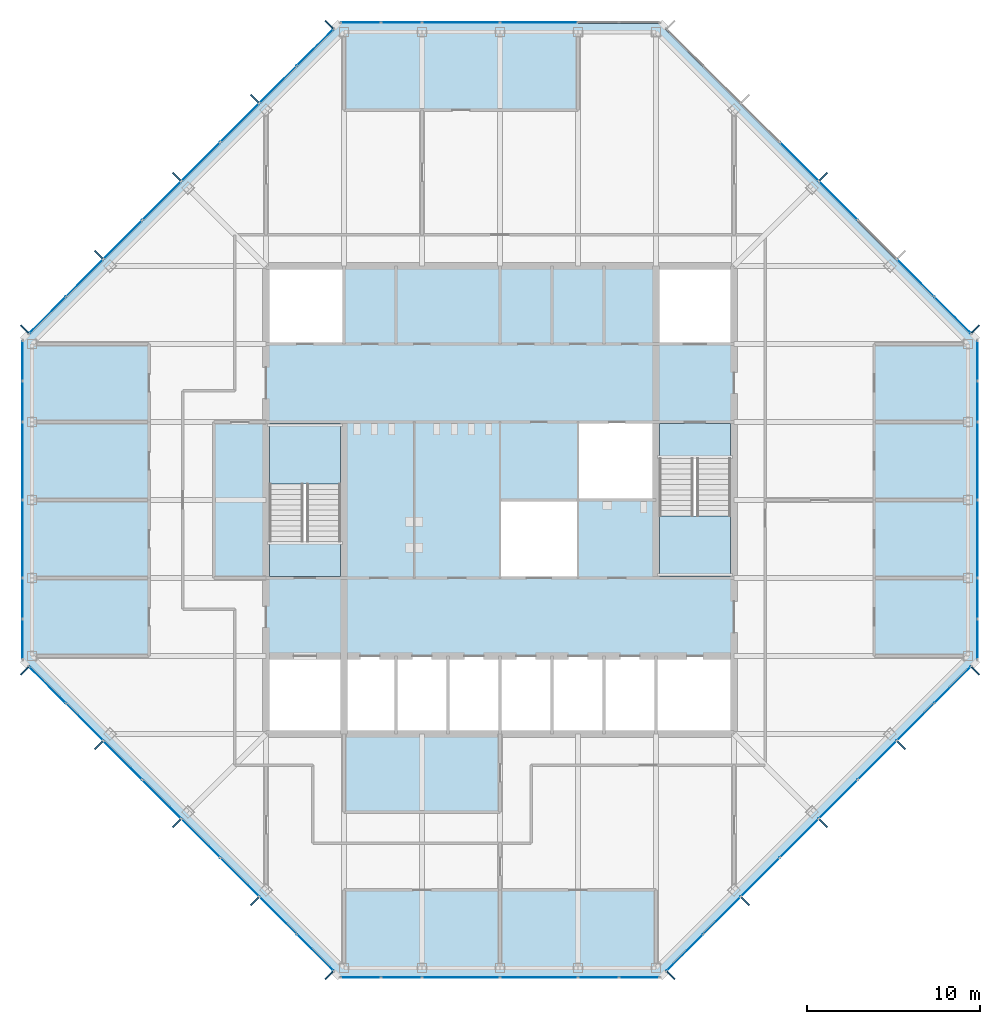
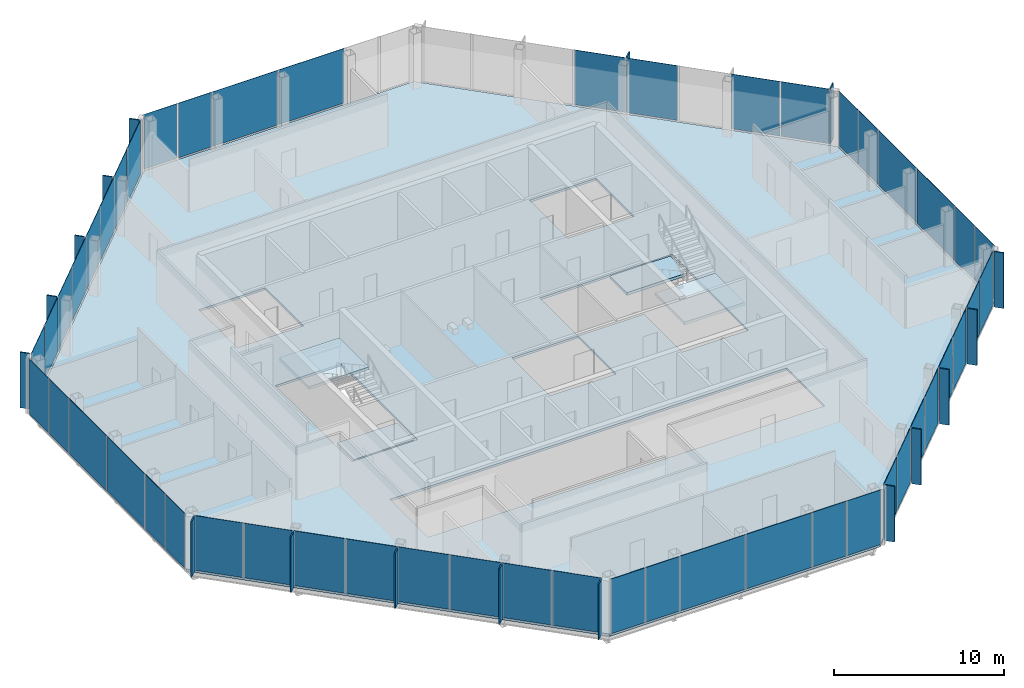
# One storey, part 8 of 14: 67 plates, 5 slabs, 10 elements without a shape of their own.
"""IFC4 building model written with IfcOpenShell, lengths in metres."""

from ifc_helpers import new_model, si_unit, direction, frame, origin, origin_2d, place, context, subcontext, project, spatial, polyline, rectangle, outline, extrude, material, layer, layer_set, type_object, element, aggregate, save


model = new_model("IFC4")

# Units and contexts
model_context = context("Model", 3, precision=1e-05, world=origin(), true_north=direction((0.0, 1.0)))
body_context = subcontext(model_context, "Body", "Model", "MODEL_VIEW")
ifc_project = project(units=[si_unit("LENGTHUNIT", "METRE"), si_unit("AREAUNIT", "SQUARE_METRE"), si_unit("VOLUMEUNIT", "CUBIC_METRE"), si_unit("PLANEANGLEUNIT", "RADIAN"), si_unit("MASSUNIT", "GRAM", prefix="KILO")], contexts=[model_context])

# Site, building, storey
site_placement = place(None, origin())
site = spatial("IfcSite", under=ifc_project, at=site_placement, CompositionType="ELEMENT")
building_placement = place(site_placement, origin())
building = spatial("IfcBuilding", under=site, at=building_placement, Name="Corais Broadcast Tower", CompositionType="ELEMENT")
storey_placement = place(building_placement, frame((0.0, 0.0, 298.60009765625)))
storey = spatial("IfcBuildingStorey", under=building, at=storey_placement, Name="L70", CompositionType="ELEMENT", Elevation=298.60009765625)

# Slab
ifc_material_1 = material(Name="Concrete C30/37", Category="concrete")
ifc_layer_1 = layer(ifc_material_1, 0.159912109375)
ifc_layer_set_1 = layer_set([ifc_layer_1], Name="Concrete C30/37")
slab_type_1 = type_object("IfcSlabType", Name="Composite floor slab 160", PredefinedType="FLOOR", material=ifc_layer_set_1)
slab_1_placement = place(storey_placement, frame((0.0, 0.0, -0.16015625)))
element("IfcSlab", 1, at=slab_1_placement, inside=storey, type_object=slab_type_1, Name="S160 floor slab L70", PredefinedType="FLOOR", context=body_context, shape_type="SweptSolid", body=[
    extrude(outline(polyline([(17.80126953125, -0.47998046875), (-0.47998046875, 17.80126953125), (-0.47998046875, 36.19873046875), (17.80126953125, 54.47998046875), (36.19873046875, 54.47998046875), (54.47998046875, 36.19873046875), (54.47998046875, 17.80126953125), (36.19873046875, -0.47998046875), (17.80126953125, -0.47998046875)]), holes=[polyline([(13.5, 18.0), (40.5, 18.0), (40.5, 13.5), (13.5, 13.5), (13.5, 18.0)]), polyline([(18.0, 22.5), (13.5, 22.5), (13.5, 31.5), (18.0, 31.5), (18.0, 22.5)]), polyline([(18.0, 36.0), (13.5, 36.0), (13.5, 40.5), (18.0, 40.5), (18.0, 36.0)]), polyline([(31.5, 22.5), (27.0, 22.5), (27.0, 27.0), (31.4951171875, 27.0), (31.4951171875, 27.0048828125), (31.5, 27.0048828125), (31.5, 31.5), (40.5, 31.5), (40.5, 22.5), (36.0, 22.5), (36.0, 27.0), (31.5048828125, 27.0), (31.5048828125, 26.9951171875), (31.5, 26.9951171875), (31.5, 22.5)]), polyline([(40.5, 36.0), (36.0, 36.0), (36.0, 40.5), (40.5, 40.5), (40.5, 36.0)])]), origin(), (0.0, 0.0, 1.0), 0.16015625),
])

# Curtain wall, plates
ifc_material_2 = material(Name="Aluminium and glass", Category="aluminium")
curtain_wall_type = type_object("IfcCurtainWallType", Name="Unitised fritted curtain wall CW3", PredefinedType="NOTDEFINED", material=ifc_material_2)
curtain_wall_1_placement = place(storey_placement, origin())
curtain_wall_1 = element("IfcCurtainWall", 2, at=curtain_wall_1_placement, inside=storey, type_object=curtain_wall_type, Name="CW3 curtain wall L70 1", PredefinedType="NOTDEFINED")
ifc_material_3 = material(Name="Ceramic-fritted laminated glass", Category="glass")
ifc_layer_2 = layer(ifc_material_3, 0.02587890625)
ifc_layer_set_2 = layer_set([ifc_layer_2], Name="Ceramic-fritted laminated glass")
plate_type_1 = type_object("IfcPlateType", Name="Fritted glass panel CW3", PredefinedType="CURTAIN_PANEL", material=ifc_layer_set_2)
plate_1_placement = place(storey_placement, frame((16.330322265625, 0.891845703125, 0.06494140625), z_axis=(0.0, 0.0, 1.0), x_axis=(-0.707106781187, 0.707106781187, 0.0)))
plate_1 = element("IfcPlate", 3, at=plate_1_placement, type_object=plate_type_1, Name="CW3 panel 1", PredefinedType="CURTAIN_PANEL", context=body_context, shape_type="SweptSolid", body=[
    extrude(rectangle(XDim=2.9482421875, YDim=0.02587890625, at=origin_2d()), origin(), (0.0, 0.0, 1.0), 3.93505859375),
])
plate_2_placement = place(storey_placement, frame((11.986083984375, 5.236083984375, 0.06494140625), z_axis=(0.0, 0.0, 1.0), x_axis=(-0.707106781187, 0.707106781187, 0.0)))
plate_2 = element("IfcPlate", 4, at=plate_2_placement, type_object=plate_type_1, Name="CW3 panel 3", PredefinedType="CURTAIN_PANEL", context=body_context, shape_type="SweptSolid", body=[
    extrude(rectangle(XDim=3.116943359375, YDim=0.02587890625, at=origin_2d()), origin(), (0.0, 0.0, 1.0), 3.93505859375),
])
plate_3_placement = place(storey_placement, frame((7.486083984375, 9.736083984375, 0.06494140625), z_axis=(0.0, 0.0, 1.0), x_axis=(-0.707106781187, 0.707106781187, 0.0)))
plate_3 = element("IfcPlate", 5, at=plate_3_placement, type_object=plate_type_1, Name="CW3 panel 5", PredefinedType="CURTAIN_PANEL", context=body_context, shape_type="SweptSolid", body=[
    extrude(rectangle(XDim=3.116943359375, YDim=0.02587890625, at=origin_2d()), origin(), (0.0, 0.0, 1.0), 3.93505859375),
])
plate_4_placement = place(storey_placement, frame((3.0341796875, 14.18798828125, 0.06494140625), z_axis=(0.0, 0.0, 1.0), x_axis=(-0.707106781187, 0.707106781187, 0.0)))
plate_4 = element("IfcPlate", 6, at=plate_4_placement, type_object=plate_type_1, Name="CW3 panel 7", PredefinedType="CURTAIN_PANEL", context=body_context, shape_type="SweptSolid", body=[
    extrude(rectangle(XDim=2.98095703125, YDim=0.02587890625, at=origin_2d()), origin(), (0.0, 0.0, 1.0), 3.93505859375),
])

curtain_wall_2_placement = place(storey_placement, origin())
curtain_wall_2 = element("IfcCurtainWall", 7, at=curtain_wall_2_placement, inside=storey, type_object=curtain_wall_type, Name="CW3 curtain wall L70 2", PredefinedType="NOTDEFINED")
plate_5_placement = place(storey_placement, frame((-0.550048828125, 18.970458984375, 0.06494140625), z_axis=(0.0, 0.0, 1.0), x_axis=(0.0, 1.0, 0.0)))
plate_5 = element("IfcPlate", 8, at=plate_5_placement, type_object=plate_type_1, Name="CW3 panel 1", PredefinedType="CURTAIN_PANEL", context=body_context, shape_type="SweptSolid", body=[
    extrude(rectangle(XDim=2.266357421875, YDim=0.02587890625, at=origin_2d()), origin(), (0.0, 0.0, 1.0), 3.93505859375),
])
plate_6_placement = place(storey_placement, frame((-0.550048828125, 24.75, 0.06494140625), z_axis=(0.0, 0.0, 1.0), x_axis=(0.0, 1.0, 0.0)))
plate_6 = element("IfcPlate", 9, at=plate_6_placement, type_object=plate_type_1, Name="CW3 panel 3", PredefinedType="CURTAIN_PANEL", context=body_context, shape_type="SweptSolid", body=[
    extrude(rectangle(XDim=4.43505859375, YDim=0.02587890625, at=origin_2d()), origin(), (0.0, 0.0, 1.0), 3.93505859375),
])
plate_7_placement = place(storey_placement, frame((-0.550048828125, 32.681884765625, 0.06494140625), z_axis=(0.0, 0.0, 1.0), x_axis=(0.0, 1.0, 0.0)))
plate_7 = element("IfcPlate", 10, at=plate_7_placement, type_object=plate_type_1, Name="CW3 panel 5", PredefinedType="CURTAIN_PANEL", context=body_context, shape_type="SweptSolid", body=[
    extrude(rectangle(XDim=2.298828125, YDim=0.02587890625, at=origin_2d()), origin(), (0.0, 0.0, 1.0), 3.93505859375),
])

curtain_wall_3_placement = place(storey_placement, origin())
curtain_wall_3 = element("IfcCurtainWall", 11, at=curtain_wall_3_placement, inside=storey, type_object=curtain_wall_type, Name="CW3 curtain wall L70 3", PredefinedType="NOTDEFINED")
plate_8_placement = place(storey_placement, frame((0.891845703125, 37.669677734375, 0.06494140625), z_axis=(0.0, 0.0, 1.0), x_axis=(0.707106781187, 0.707106781187, 0.0)))
plate_8 = element("IfcPlate", 12, at=plate_8_placement, type_object=plate_type_1, Name="CW3 panel 1", PredefinedType="CURTAIN_PANEL", context=body_context, shape_type="SweptSolid", body=[
    extrude(rectangle(XDim=2.9482421875, YDim=0.02587890625, at=origin_2d()), origin(), (0.0, 0.0, 1.0), 3.93505859375),
])
plate_9_placement = place(storey_placement, frame((5.236083984375, 42.013916015625, 0.06494140625), z_axis=(0.0, 0.0, 1.0), x_axis=(0.707106781187, 0.707106781187, 0.0)))
plate_9 = element("IfcPlate", 13, at=plate_9_placement, type_object=plate_type_1, Name="CW3 panel 3", PredefinedType="CURTAIN_PANEL", context=body_context, shape_type="SweptSolid", body=[
    extrude(rectangle(XDim=3.116943359375, YDim=0.02587890625, at=origin_2d()), origin(), (0.0, 0.0, 1.0), 3.93505859375),
])
plate_10_placement = place(storey_placement, frame((9.736083984375, 46.513916015625, 0.06494140625), z_axis=(0.0, 0.0, 1.0), x_axis=(0.707106781187, 0.707106781187, 0.0)))
plate_10 = element("IfcPlate", 14, at=plate_10_placement, type_object=plate_type_1, Name="CW3 panel 5", PredefinedType="CURTAIN_PANEL", context=body_context, shape_type="SweptSolid", body=[
    extrude(rectangle(XDim=3.116943359375, YDim=0.02587890625, at=origin_2d()), origin(), (0.0, 0.0, 1.0), 3.93505859375),
])
plate_11_placement = place(storey_placement, frame((14.18798828125, 50.9658203125, 0.06494140625), z_axis=(0.0, 0.0, 1.0), x_axis=(0.707106781187, 0.707106781187, 0.0)))
plate_11 = element("IfcPlate", 15, at=plate_11_placement, type_object=plate_type_1, Name="CW3 panel 7", PredefinedType="CURTAIN_PANEL", context=body_context, shape_type="SweptSolid", body=[
    extrude(rectangle(XDim=2.98095703125, YDim=0.02587890625, at=origin_2d()), origin(), (0.0, 0.0, 1.0), 3.93505859375),
])

curtain_wall_4_placement = place(storey_placement, origin())
curtain_wall_4 = element("IfcCurtainWall", 16, at=curtain_wall_4_placement, inside=storey, type_object=curtain_wall_type, Name="CW3 curtain wall L70 4", PredefinedType="NOTDEFINED")
plate_12_placement = place(storey_placement, frame((18.970458984375, 54.550048828125, 0.06494140625), z_axis=(0.0, 0.0, 1.0), x_axis=(1.0, 0.0, 0.0)))
plate_12 = element("IfcPlate", 17, at=plate_12_placement, type_object=plate_type_1, Name="CW3 panel 1", PredefinedType="CURTAIN_PANEL", context=body_context, shape_type="SweptSolid", body=[
    extrude(rectangle(XDim=2.266357421875, YDim=0.02587890625, at=origin_2d()), origin(), (0.0, 0.0, 1.0), 3.93505859375),
])
plate_13_placement = place(storey_placement, frame((24.75, 54.550048828125, 0.06494140625), z_axis=(0.0, 0.0, 1.0), x_axis=(1.0, 0.0, 0.0)))
plate_13 = element("IfcPlate", 18, at=plate_13_placement, type_object=plate_type_1, Name="CW3 panel 3", PredefinedType="CURTAIN_PANEL", context=body_context, shape_type="SweptSolid", body=[
    extrude(rectangle(XDim=4.43505859375, YDim=0.02587890625, at=origin_2d()), origin(), (0.0, 0.0, 1.0), 3.93505859375),
])

curtain_wall_5_placement = place(storey_placement, origin())
curtain_wall_5 = element("IfcCurtainWall", 19, at=curtain_wall_5_placement, inside=storey, type_object=curtain_wall_type, Name="CW3 curtain wall L70 5", PredefinedType="NOTDEFINED")
plate_14_placement = place(storey_placement, frame((46.513916015625, 44.263916015625, 0.06494140625), z_axis=(0.0, 0.0, 1.0), x_axis=(0.707106781187, -0.707106781187, 0.0)))
plate_14 = element("IfcPlate", 20, at=plate_14_placement, type_object=plate_type_1, Name="CW3 panel 5", PredefinedType="CURTAIN_PANEL", context=body_context, shape_type="SweptSolid", body=[
    extrude(rectangle(XDim=3.116943359375, YDim=0.02587890625, at=origin_2d()), origin(), (0.0, 0.0, 1.0), 3.93505859375),
])
plate_15_placement = place(storey_placement, frame((50.9658203125, 39.81201171875, 0.06494140625), z_axis=(0.0, 0.0, 1.0), x_axis=(0.707106781187, -0.707106781187, 0.0)))
plate_15 = element("IfcPlate", 21, at=plate_15_placement, type_object=plate_type_1, Name="CW3 panel 7", PredefinedType="CURTAIN_PANEL", context=body_context, shape_type="SweptSolid", body=[
    extrude(rectangle(XDim=2.98095703125, YDim=0.02587890625, at=origin_2d()), origin(), (0.0, 0.0, 1.0), 3.93505859375),
])

curtain_wall_6_placement = place(storey_placement, origin())
curtain_wall_6 = element("IfcCurtainWall", 22, at=curtain_wall_6_placement, inside=storey, type_object=curtain_wall_type, Name="CW3 curtain wall L70 6", PredefinedType="NOTDEFINED")
plate_16_placement = place(storey_placement, frame((54.550048828125, 35.029541015625, 0.06494140625), z_axis=(0.0, 0.0, 1.0), x_axis=(0.0, -1.0, 0.0)))
plate_16 = element("IfcPlate", 23, at=plate_16_placement, type_object=plate_type_1, Name="CW3 panel 1", PredefinedType="CURTAIN_PANEL", context=body_context, shape_type="SweptSolid", body=[
    extrude(rectangle(XDim=2.266357421875, YDim=0.02587890625, at=origin_2d()), origin(), (0.0, 0.0, 1.0), 3.93505859375),
])
plate_17_placement = place(storey_placement, frame((54.550048828125, 29.25, 0.06494140625), z_axis=(0.0, 0.0, 1.0), x_axis=(0.0, -1.0, 0.0)))
plate_17 = element("IfcPlate", 24, at=plate_17_placement, type_object=plate_type_1, Name="CW3 panel 3", PredefinedType="CURTAIN_PANEL", context=body_context, shape_type="SweptSolid", body=[
    extrude(rectangle(XDim=4.43505859375, YDim=0.02587890625, at=origin_2d()), origin(), (0.0, 0.0, 1.0), 3.93505859375),
])
plate_18_placement = place(storey_placement, frame((54.550048828125, 21.318115234375, 0.06494140625), z_axis=(0.0, 0.0, 1.0), x_axis=(0.0, -1.0, 0.0)))
plate_18 = element("IfcPlate", 25, at=plate_18_placement, type_object=plate_type_1, Name="CW3 panel 5", PredefinedType="CURTAIN_PANEL", context=body_context, shape_type="SweptSolid", body=[
    extrude(rectangle(XDim=2.298828125, YDim=0.02587890625, at=origin_2d()), origin(), (0.0, 0.0, 1.0), 3.93505859375),
])

curtain_wall_7_placement = place(storey_placement, origin())
curtain_wall_7 = element("IfcCurtainWall", 26, at=curtain_wall_7_placement, inside=storey, type_object=curtain_wall_type, Name="CW3 curtain wall L70 7", PredefinedType="NOTDEFINED")
plate_19_placement = place(storey_placement, frame((53.108154296875, 16.330322265625, 0.06494140625), z_axis=(0.0, 0.0, 1.0), x_axis=(-0.707106781187, -0.707106781187, 0.0)))
plate_19 = element("IfcPlate", 27, at=plate_19_placement, type_object=plate_type_1, Name="CW3 panel 1", PredefinedType="CURTAIN_PANEL", context=body_context, shape_type="SweptSolid", body=[
    extrude(rectangle(XDim=2.9482421875, YDim=0.02587890625, at=origin_2d()), origin(), (0.0, 0.0, 1.0), 3.93505859375),
])
plate_20_placement = place(storey_placement, frame((48.763916015625, 11.986083984375, 0.06494140625), z_axis=(0.0, 0.0, 1.0), x_axis=(-0.707106781187, -0.707106781187, 0.0)))
plate_20 = element("IfcPlate", 28, at=plate_20_placement, type_object=plate_type_1, Name="CW3 panel 3", PredefinedType="CURTAIN_PANEL", context=body_context, shape_type="SweptSolid", body=[
    extrude(rectangle(XDim=3.116943359375, YDim=0.02587890625, at=origin_2d()), origin(), (0.0, 0.0, 1.0), 3.93505859375),
])
plate_21_placement = place(storey_placement, frame((44.263916015625, 7.486083984375, 0.06494140625), z_axis=(0.0, 0.0, 1.0), x_axis=(-0.707106781187, -0.707106781187, 0.0)))
plate_21 = element("IfcPlate", 29, at=plate_21_placement, type_object=plate_type_1, Name="CW3 panel 5", PredefinedType="CURTAIN_PANEL", context=body_context, shape_type="SweptSolid", body=[
    extrude(rectangle(XDim=3.116943359375, YDim=0.02587890625, at=origin_2d()), origin(), (0.0, 0.0, 1.0), 3.93505859375),
])
plate_22_placement = place(storey_placement, frame((39.81201171875, 3.0341796875, 0.06494140625), z_axis=(0.0, 0.0, 1.0), x_axis=(-0.707106781187, -0.707106781187, 0.0)))
plate_22 = element("IfcPlate", 30, at=plate_22_placement, type_object=plate_type_1, Name="CW3 panel 7", PredefinedType="CURTAIN_PANEL", context=body_context, shape_type="SweptSolid", body=[
    extrude(rectangle(XDim=2.98095703125, YDim=0.02587890625, at=origin_2d()), origin(), (0.0, 0.0, 1.0), 3.93505859375),
])

curtain_wall_8_placement = place(storey_placement, origin())
curtain_wall_8 = element("IfcCurtainWall", 31, at=curtain_wall_8_placement, inside=storey, type_object=curtain_wall_type, Name="CW3 curtain wall L70 8", PredefinedType="NOTDEFINED")
plate_23_placement = place(storey_placement, frame((35.029541015625, -0.550048828125, 0.06494140625), z_axis=(0.0, 0.0, 1.0), x_axis=(-1.0, 0.0, 0.0)))
plate_23 = element("IfcPlate", 32, at=plate_23_placement, type_object=plate_type_1, Name="CW3 panel 1", PredefinedType="CURTAIN_PANEL", context=body_context, shape_type="SweptSolid", body=[
    extrude(rectangle(XDim=2.266357421875, YDim=0.02587890625, at=origin_2d()), origin(), (0.0, 0.0, 1.0), 3.93505859375),
])
plate_24_placement = place(storey_placement, frame((29.25, -0.550048828125, 0.06494140625), z_axis=(0.0, 0.0, 1.0), x_axis=(-1.0, 0.0, 0.0)))
plate_24 = element("IfcPlate", 33, at=plate_24_placement, type_object=plate_type_1, Name="CW3 panel 3", PredefinedType="CURTAIN_PANEL", context=body_context, shape_type="SweptSolid", body=[
    extrude(rectangle(XDim=4.43505859375, YDim=0.02587890625, at=origin_2d()), origin(), (0.0, 0.0, 1.0), 3.93505859375),
])
plate_25_placement = place(storey_placement, frame((21.318115234375, -0.550048828125, 0.06494140625), z_axis=(0.0, 0.0, 1.0), x_axis=(-1.0, 0.0, 0.0)))
plate_25 = element("IfcPlate", 34, at=plate_25_placement, type_object=plate_type_1, Name="CW3 panel 5", PredefinedType="CURTAIN_PANEL", context=body_context, shape_type="SweptSolid", body=[
    extrude(rectangle(XDim=2.298828125, YDim=0.02587890625, at=origin_2d()), origin(), (0.0, 0.0, 1.0), 3.93505859375),
])

# Plate
ifc_material_4 = material(Name="Clear laminated glass", Category="glass")
ifc_layer_3 = layer(ifc_material_4, 0.030029296875)
ifc_layer_set_3 = layer_set([ifc_layer_3], Name="Clear laminated glass")
plate_type_2 = type_object("IfcPlateType", Name="Operable glass panel CW3", PredefinedType="CURTAIN_PANEL", material=ifc_layer_set_3)
plate_26_placement = place(storey_placement, frame((14.18798828125, 3.0341796875, 0.06494140625), z_axis=(0.0, 0.0, 1.0), x_axis=(-0.707106781187, 0.707106781187, 0.0)))
plate_26 = element("IfcPlate", 35, at=plate_26_placement, type_object=plate_type_2, Name="CW3 operable panel 2", PredefinedType="CURTAIN_PANEL", context=body_context, shape_type="SweptSolid", body=[
    extrude(rectangle(XDim=2.98095703125, YDim=0.030029296875, at=origin_2d()), origin(), (0.0, 0.0, 1.0), 3.93505859375),
])

plate_27_placement = place(storey_placement, frame((9.736083984375, 7.486083984375, 0.06494140625), z_axis=(0.0, 0.0, 1.0), x_axis=(-0.707106781187, 0.707106781187, 0.0)))
plate_27 = element("IfcPlate", 36, at=plate_27_placement, type_object=plate_type_2, Name="CW3 operable panel 4", PredefinedType="CURTAIN_PANEL", context=body_context, shape_type="SweptSolid", body=[
    extrude(rectangle(XDim=3.116943359375, YDim=0.030029296875, at=origin_2d()), origin(), (0.0, 0.0, 1.0), 3.93505859375),
])

plate_28_placement = place(storey_placement, frame((5.236083984375, 11.986083984375, 0.06494140625), z_axis=(0.0, 0.0, 1.0), x_axis=(-0.707106781187, 0.707106781187, 0.0)))
plate_28 = element("IfcPlate", 37, at=plate_28_placement, type_object=plate_type_2, Name="CW3 operable panel 6", PredefinedType="CURTAIN_PANEL", context=body_context, shape_type="SweptSolid", body=[
    extrude(rectangle(XDim=3.116943359375, YDim=0.030029296875, at=origin_2d()), origin(), (0.0, 0.0, 1.0), 3.93505859375),
])

plate_29_placement = place(storey_placement, frame((0.89208984375, 16.330322265625, 0.06494140625), z_axis=(0.0, 0.0, 1.0), x_axis=(-0.707106781187, 0.707106781187, 0.0)))
plate_29 = element("IfcPlate", 38, at=plate_29_placement, type_object=plate_type_2, Name="CW3 operable panel 8", PredefinedType="CURTAIN_PANEL", context=body_context, shape_type="SweptSolid", body=[
    extrude(rectangle(XDim=2.948486328125, YDim=0.030029296875, at=origin_2d()), origin(), (0.0, 0.0, 1.0), 3.93505859375),
])

aggregate(curtain_wall_1, [plate_1, plate_26, plate_2, plate_27, plate_3, plate_28, plate_4, plate_29])

plate_30_placement = place(storey_placement, frame((-0.550048828125, 21.318115234375, 0.06494140625), z_axis=(0.0, 0.0, 1.0), x_axis=(0.0, 1.0, 0.0)))
plate_30 = element("IfcPlate", 39, at=plate_30_placement, type_object=plate_type_2, Name="CW3 operable panel 2", PredefinedType="CURTAIN_PANEL", context=body_context, shape_type="SweptSolid", body=[
    extrude(rectangle(XDim=2.298828125, YDim=0.030029296875, at=origin_2d()), origin(), (0.0, 0.0, 1.0), 3.93505859375),
])

plate_31_placement = place(storey_placement, frame((-0.550048828125, 29.25, 0.06494140625), z_axis=(0.0, 0.0, 1.0), x_axis=(0.0, 1.0, 0.0)))
plate_31 = element("IfcPlate", 40, at=plate_31_placement, type_object=plate_type_2, Name="CW3 operable panel 4", PredefinedType="CURTAIN_PANEL", context=body_context, shape_type="SweptSolid", body=[
    extrude(rectangle(XDim=4.43505859375, YDim=0.030029296875, at=origin_2d()), origin(), (0.0, 0.0, 1.0), 3.93505859375),
])

plate_32_placement = place(storey_placement, frame((-0.550048828125, 35.029541015625, 0.06494140625), z_axis=(0.0, 0.0, 1.0), x_axis=(0.0, 1.0, 0.0)))
plate_32 = element("IfcPlate", 41, at=plate_32_placement, type_object=plate_type_2, Name="CW3 operable panel 6", PredefinedType="CURTAIN_PANEL", context=body_context, shape_type="SweptSolid", body=[
    extrude(rectangle(XDim=2.266357421875, YDim=0.030029296875, at=origin_2d()), origin(), (0.0, 0.0, 1.0), 3.93505859375),
])

aggregate(curtain_wall_2, [plate_5, plate_30, plate_6, plate_31, plate_7, plate_32])

plate_33_placement = place(storey_placement, frame((3.0341796875, 39.81201171875, 0.06494140625), z_axis=(0.0, 0.0, 1.0), x_axis=(0.707106781187, 0.707106781187, 0.0)))
plate_33 = element("IfcPlate", 42, at=plate_33_placement, type_object=plate_type_2, Name="CW3 operable panel 2", PredefinedType="CURTAIN_PANEL", context=body_context, shape_type="SweptSolid", body=[
    extrude(rectangle(XDim=2.98095703125, YDim=0.030029296875, at=origin_2d()), origin(), (0.0, 0.0, 1.0), 3.93505859375),
])

plate_34_placement = place(storey_placement, frame((7.486083984375, 44.263916015625, 0.06494140625), z_axis=(0.0, 0.0, 1.0), x_axis=(0.707106781187, 0.707106781187, 0.0)))
plate_34 = element("IfcPlate", 43, at=plate_34_placement, type_object=plate_type_2, Name="CW3 operable panel 4", PredefinedType="CURTAIN_PANEL", context=body_context, shape_type="SweptSolid", body=[
    extrude(rectangle(XDim=3.116943359375, YDim=0.030029296875, at=origin_2d()), origin(), (0.0, 0.0, 1.0), 3.93505859375),
])

plate_35_placement = place(storey_placement, frame((11.986083984375, 48.763916015625, 0.06494140625), z_axis=(0.0, 0.0, 1.0), x_axis=(0.707106781187, 0.707106781187, 0.0)))
plate_35 = element("IfcPlate", 44, at=plate_35_placement, type_object=plate_type_2, Name="CW3 operable panel 6", PredefinedType="CURTAIN_PANEL", context=body_context, shape_type="SweptSolid", body=[
    extrude(rectangle(XDim=3.116943359375, YDim=0.030029296875, at=origin_2d()), origin(), (0.0, 0.0, 1.0), 3.93505859375),
])

plate_36_placement = place(storey_placement, frame((16.330322265625, 53.10791015625, 0.06494140625), z_axis=(0.0, 0.0, 1.0), x_axis=(0.707106781187, 0.707106781187, 0.0)))
plate_36 = element("IfcPlate", 45, at=plate_36_placement, type_object=plate_type_2, Name="CW3 operable panel 8", PredefinedType="CURTAIN_PANEL", context=body_context, shape_type="SweptSolid", body=[
    extrude(rectangle(XDim=2.948486328125, YDim=0.030029296875, at=origin_2d()), origin(), (0.0, 0.0, 1.0), 3.93505859375),
])

aggregate(curtain_wall_3, [plate_8, plate_33, plate_9, plate_34, plate_10, plate_35, plate_11, plate_36])

plate_37_placement = place(storey_placement, frame((21.318115234375, 54.550048828125, 0.06494140625), z_axis=(0.0, 0.0, 1.0), x_axis=(1.0, 0.0, 0.0)))
plate_37 = element("IfcPlate", 46, at=plate_37_placement, type_object=plate_type_2, Name="CW3 operable panel 2", PredefinedType="CURTAIN_PANEL", context=body_context, shape_type="SweptSolid", body=[
    extrude(rectangle(XDim=2.298828125, YDim=0.030029296875, at=origin_2d()), origin(), (0.0, 0.0, 1.0), 3.93505859375),
])

plate_38_placement = place(storey_placement, frame((29.25, 54.550048828125, 0.06494140625), z_axis=(0.0, 0.0, 1.0), x_axis=(1.0, 0.0, 0.0)))
plate_38 = element("IfcPlate", 47, at=plate_38_placement, type_object=plate_type_2, Name="CW3 operable panel 4", PredefinedType="CURTAIN_PANEL", context=body_context, shape_type="SweptSolid", body=[
    extrude(rectangle(XDim=4.43505859375, YDim=0.030029296875, at=origin_2d()), origin(), (0.0, 0.0, 1.0), 3.93505859375),
])

aggregate(curtain_wall_4, [plate_12, plate_37, plate_13, plate_38])

plate_39_placement = place(storey_placement, frame((44.263916015625, 46.513916015625, 0.06494140625), z_axis=(0.0, 0.0, 1.0), x_axis=(0.707106781187, -0.707106781187, 0.0)))
plate_39 = element("IfcPlate", 48, at=plate_39_placement, type_object=plate_type_2, Name="CW3 operable panel 4", PredefinedType="CURTAIN_PANEL", context=body_context, shape_type="SweptSolid", body=[
    extrude(rectangle(XDim=3.116943359375, YDim=0.030029296875, at=origin_2d()), origin(), (0.0, 0.0, 1.0), 3.93505859375),
])

plate_40_placement = place(storey_placement, frame((53.10791015625, 37.669677734375, 0.06494140625), z_axis=(0.0, 0.0, 1.0), x_axis=(0.707106781187, -0.707106781187, 0.0)))
plate_40 = element("IfcPlate", 49, at=plate_40_placement, type_object=plate_type_2, Name="CW3 operable panel 8", PredefinedType="CURTAIN_PANEL", context=body_context, shape_type="SweptSolid", body=[
    extrude(rectangle(XDim=2.948486328125, YDim=0.030029296875, at=origin_2d()), origin(), (0.0, 0.0, 1.0), 3.93505859375),
])

aggregate(curtain_wall_5, [plate_39, plate_14, plate_15, plate_40])

plate_41_placement = place(storey_placement, frame((54.550048828125, 32.681884765625, 0.06494140625), z_axis=(0.0, 0.0, 1.0), x_axis=(0.0, -1.0, 0.0)))
plate_41 = element("IfcPlate", 50, at=plate_41_placement, type_object=plate_type_2, Name="CW3 operable panel 2", PredefinedType="CURTAIN_PANEL", context=body_context, shape_type="SweptSolid", body=[
    extrude(rectangle(XDim=2.298828125, YDim=0.030029296875, at=origin_2d()), origin(), (0.0, 0.0, 1.0), 3.93505859375),
])

plate_42_placement = place(storey_placement, frame((54.550048828125, 24.75, 0.06494140625), z_axis=(0.0, 0.0, 1.0), x_axis=(0.0, -1.0, 0.0)))
plate_42 = element("IfcPlate", 51, at=plate_42_placement, type_object=plate_type_2, Name="CW3 operable panel 4", PredefinedType="CURTAIN_PANEL", context=body_context, shape_type="SweptSolid", body=[
    extrude(rectangle(XDim=4.43505859375, YDim=0.030029296875, at=origin_2d()), origin(), (0.0, 0.0, 1.0), 3.93505859375),
])

plate_43_placement = place(storey_placement, frame((54.550048828125, 18.970458984375, 0.06494140625), z_axis=(0.0, 0.0, 1.0), x_axis=(0.0, -1.0, 0.0)))
plate_43 = element("IfcPlate", 52, at=plate_43_placement, type_object=plate_type_2, Name="CW3 operable panel 6", PredefinedType="CURTAIN_PANEL", context=body_context, shape_type="SweptSolid", body=[
    extrude(rectangle(XDim=2.266357421875, YDim=0.030029296875, at=origin_2d()), origin(), (0.0, 0.0, 1.0), 3.93505859375),
])

aggregate(curtain_wall_6, [plate_16, plate_41, plate_17, plate_42, plate_18, plate_43])

plate_44_placement = place(storey_placement, frame((50.9658203125, 14.18798828125, 0.06494140625), z_axis=(0.0, 0.0, 1.0), x_axis=(-0.707106781187, -0.707106781187, 0.0)))
plate_44 = element("IfcPlate", 53, at=plate_44_placement, type_object=plate_type_2, Name="CW3 operable panel 2", PredefinedType="CURTAIN_PANEL", context=body_context, shape_type="SweptSolid", body=[
    extrude(rectangle(XDim=2.98095703125, YDim=0.030029296875, at=origin_2d()), origin(), (0.0, 0.0, 1.0), 3.93505859375),
])

plate_45_placement = place(storey_placement, frame((46.513916015625, 9.736083984375, 0.06494140625), z_axis=(0.0, 0.0, 1.0), x_axis=(-0.707106781187, -0.707106781187, 0.0)))
plate_45 = element("IfcPlate", 54, at=plate_45_placement, type_object=plate_type_2, Name="CW3 operable panel 4", PredefinedType="CURTAIN_PANEL", context=body_context, shape_type="SweptSolid", body=[
    extrude(rectangle(XDim=3.116943359375, YDim=0.030029296875, at=origin_2d()), origin(), (0.0, 0.0, 1.0), 3.93505859375),
])

plate_46_placement = place(storey_placement, frame((42.013916015625, 5.236083984375, 0.06494140625), z_axis=(0.0, 0.0, 1.0), x_axis=(-0.707106781187, -0.707106781187, 0.0)))
plate_46 = element("IfcPlate", 55, at=plate_46_placement, type_object=plate_type_2, Name="CW3 operable panel 6", PredefinedType="CURTAIN_PANEL", context=body_context, shape_type="SweptSolid", body=[
    extrude(rectangle(XDim=3.116943359375, YDim=0.030029296875, at=origin_2d()), origin(), (0.0, 0.0, 1.0), 3.93505859375),
])

plate_47_placement = place(storey_placement, frame((37.669677734375, 0.89208984375, 0.06494140625), z_axis=(0.0, 0.0, 1.0), x_axis=(-0.707106781187, -0.707106781187, 0.0)))
plate_47 = element("IfcPlate", 56, at=plate_47_placement, type_object=plate_type_2, Name="CW3 operable panel 8", PredefinedType="CURTAIN_PANEL", context=body_context, shape_type="SweptSolid", body=[
    extrude(rectangle(XDim=2.948486328125, YDim=0.030029296875, at=origin_2d()), origin(), (0.0, 0.0, 1.0), 3.93505859375),
])

aggregate(curtain_wall_7, [plate_19, plate_44, plate_20, plate_45, plate_21, plate_46, plate_22, plate_47])

plate_48_placement = place(storey_placement, frame((32.681884765625, -0.550048828125, 0.06494140625), z_axis=(0.0, 0.0, 1.0), x_axis=(-1.0, 0.0, 0.0)))
plate_48 = element("IfcPlate", 57, at=plate_48_placement, type_object=plate_type_2, Name="CW3 operable panel 2", PredefinedType="CURTAIN_PANEL", context=body_context, shape_type="SweptSolid", body=[
    extrude(rectangle(XDim=2.298828125, YDim=0.030029296875, at=origin_2d()), origin(), (0.0, 0.0, 1.0), 3.93505859375),
])

plate_49_placement = place(storey_placement, frame((24.75, -0.550048828125, 0.06494140625), z_axis=(0.0, 0.0, 1.0), x_axis=(-1.0, 0.0, 0.0)))
plate_49 = element("IfcPlate", 58, at=plate_49_placement, type_object=plate_type_2, Name="CW3 operable panel 4", PredefinedType="CURTAIN_PANEL", context=body_context, shape_type="SweptSolid", body=[
    extrude(rectangle(XDim=4.43505859375, YDim=0.030029296875, at=origin_2d()), origin(), (0.0, 0.0, 1.0), 3.93505859375),
])

plate_50_placement = place(storey_placement, frame((18.970458984375, -0.550048828125, 0.06494140625), z_axis=(0.0, 0.0, 1.0), x_axis=(-1.0, 0.0, 0.0)))
plate_50 = element("IfcPlate", 59, at=plate_50_placement, type_object=plate_type_2, Name="CW3 operable panel 6", PredefinedType="CURTAIN_PANEL", context=body_context, shape_type="SweptSolid", body=[
    extrude(rectangle(XDim=2.266357421875, YDim=0.030029296875, at=origin_2d()), origin(), (0.0, 0.0, 1.0), 3.93505859375),
])

aggregate(curtain_wall_8, [plate_23, plate_48, plate_24, plate_49, plate_25, plate_50])

# Stair, slabs
ifc_material_5 = material(Name="Concrete C30/37", Category="concrete")
stair_type = type_object("IfcStairType", Name="Half-turn stair 4000", PredefinedType="HALF_TURN_STAIR", material=ifc_material_5)
stair_1_placement = place(storey_placement, origin())
stair_1 = element("IfcStair", 60, at=stair_1_placement, inside=storey, type_object=stair_type, Name="Stair A L70", PredefinedType="HALF_TURN_STAIR")
ifc_material_6 = material(Name="Concrete C30/37", Category="concrete")
ifc_layer_4 = layer(ifc_material_6, 0.199951171875)
ifc_layer_set_4 = layer_set([ifc_layer_4], Name="Concrete C30/37")
slab_type_2 = type_object("IfcSlabType", Name="Stair landing 200", PredefinedType="LANDING", material=ifc_layer_set_4)
slab_2_placement = place(storey_placement, frame((0.0, 0.0, -0.2001953125)))
slab_2 = element("IfcSlab", 61, at=slab_2_placement, type_object=slab_type_2, Name="STA landing 1", PredefinedType="LANDING", context=body_context, shape_type="SweptSolid", body=[
    extrude(outline(polyline([(13.699951171875, 22.60009765625), (17.800048828125, 22.60009765625), (17.800048828125, 24.60009765625), (13.699951171875, 24.60009765625), (13.699951171875, 22.60009765625)])), origin(), (0.0, 0.0, 1.0), 0.2001953125),
])
slab_3_placement = place(storey_placement, frame((0.0, 0.0, 1.7998046875)))
slab_3 = element("IfcSlab", 62, at=slab_3_placement, type_object=slab_type_2, Name="STA landing 2", PredefinedType="LANDING", context=body_context, shape_type="SweptSolid", body=[
    extrude(outline(polyline([(13.699951171875, 27.922119140625), (17.800048828125, 27.922119140625), (17.800048828125, 31.39990234375), (13.699951171875, 31.39990234375), (13.699951171875, 27.922119140625)])), origin(), (0.0, 0.0, 1.0), 0.2001953125),
])
aggregate(stair_1, [slab_2, slab_3])

stair_2_placement = place(storey_placement, origin())
stair_2 = element("IfcStair", 63, at=stair_2_placement, inside=storey, type_object=stair_type, Name="Stair B L70", PredefinedType="HALF_TURN_STAIR")
slab_4_placement = place(storey_placement, frame((0.0, 0.0, -0.2001953125)))
slab_4 = element("IfcSlab", 64, at=slab_4_placement, type_object=slab_type_2, Name="STB landing 1", PredefinedType="LANDING", context=body_context, shape_type="SweptSolid", body=[
    extrude(outline(polyline([(36.199951171875, 29.39990234375), (40.300048828125, 29.39990234375), (40.300048828125, 31.39990234375), (36.199951171875, 31.39990234375), (36.199951171875, 29.39990234375)])), origin(), (0.0, 0.0, 1.0), 0.2001953125),
])
slab_5_placement = place(storey_placement, frame((0.0, 0.0, 1.7998046875)))
slab_5 = element("IfcSlab", 65, at=slab_5_placement, type_object=slab_type_2, Name="STB landing 2", PredefinedType="LANDING", context=body_context, shape_type="SweptSolid", body=[
    extrude(outline(polyline([(36.199951171875, 22.60009765625), (40.300048828125, 22.60009765625), (40.300048828125, 26.077880859375), (36.199951171875, 26.077880859375), (36.199951171875, 22.60009765625)])), origin(), (0.0, 0.0, 1.0), 0.2001953125),
])
aggregate(stair_2, [slab_4, slab_5])

# Plates
ifc_material_7 = material(Name="Granite stone cladding", Category="masonry")
ifc_layer_5 = layer(ifc_material_7, 0.080078125)
ifc_layer_set_5 = layer_set([ifc_layer_5], Name="Granite stone cladding")
plate_type_3 = type_object("IfcPlateType", Name="Stone screen fin 80x600", PredefinedType="USERDEFINED", material=ifc_layer_set_5)
for number, where, z_axis, x_axis, name in (
    (66, (17.129150390625, -0.43994140625, 0.0), (0.0, 0.0, 1.0), (-0.707106781187, 0.707106781187, 0.0), "SF1 stone screen fin L70"),
    (67, (12.844482421875, 3.844482421875, 0.0), (0.0, 0.0, 1.0), (-0.707106781187, 0.707106781187, 0.0), "SF1 stone screen fin L70"),
    (68, (8.344482421875, 8.344482421875, 0.0), (0.0, 0.0, 1.0), (-0.707106781187, 0.707106781187, 0.0), "SF1 stone screen fin L70"),
    (69, (3.844482421875, 12.844482421875, 0.0), (0.0, 0.0, 1.0), (-0.707106781187, 0.707106781187, 0.0), "SF1 stone screen fin L70"),
    (70, (-0.43994140625, 17.129150390625, 0.0), (0.0, 0.0, 1.0), (-0.707106781187, 0.707106781187, 0.0), "SF1 stone screen fin L70"),
    (71, (-0.43994140625, 36.870849609375, 0.0), (0.0, 0.0, 1.0), (0.707106781187, 0.707106781187, 0.0), "SF1 stone screen fin L70"),
    (72, (3.844482421875, 41.155517578125, 0.0), (0.0, 0.0, 1.0), (0.707106781187, 0.707106781187, 0.0), "SF1 stone screen fin L70"),
    (73, (8.344482421875, 45.655517578125, 0.0), (0.0, 0.0, 1.0), (0.707106781187, 0.707106781187, 0.0), "SF1 stone screen fin L70"),
    (74, (12.844482421875, 50.155517578125, 0.0), (0.0, 0.0, 1.0), (0.707106781187, 0.707106781187, 0.0), "SF1 stone screen fin L70"),
    (75, (17.129150390625, 54.43994140625, 0.0), (0.0, 0.0, 1.0), (0.707106781187, 0.707106781187, 0.0), "SF1 stone screen fin L70"),
    (76, (45.655517578125, 45.655517578125, 0.0), (0.0, 0.0, 1.0), (0.707106781187, -0.707106781187, 0.0), "SF1 stone screen fin L70"),
    (77, (54.43994140625, 36.870849609375, 0.0), (0.0, 0.0, 1.0), (0.707106781187, -0.707106781187, 0.0), "SF1 stone screen fin L70"),
    (78, (54.43994140625, 17.129150390625, 0.0), (0.0, 0.0, 1.0), (-0.707106781187, -0.707106781187, 0.0), "SF1 stone screen fin L70"),
    (79, (50.155517578125, 12.844482421875, 0.0), (0.0, 0.0, 1.0), (-0.707106781187, -0.707106781187, 0.0), "SF1 stone screen fin L70"),
    (80, (45.655517578125, 8.344482421875, 0.0), (0.0, 0.0, 1.0), (-0.707106781187, -0.707106781187, 0.0), "SF1 stone screen fin L70"),
    (81, (41.155517578125, 3.844482421875, 0.0), (0.0, 0.0, 1.0), (-0.707106781187, -0.707106781187, 0.0), "SF1 stone screen fin L70"),
    (82, (36.870849609375, -0.43994140625, 0.0), (0.0, 0.0, 1.0), (-0.707106781187, -0.707106781187, 0.0), "SF1 stone screen fin L70"),
):
    element("IfcPlate", number, at=place(storey_placement, frame(where, z_axis=z_axis, x_axis=x_axis)), inside=storey, type_object=plate_type_3, Name=name, ObjectType="STONE SCREEN FIN", PredefinedType="USERDEFINED", context=body_context, shape_type="SweptSolid", body=[
        extrude(rectangle(XDim=0.080078125, YDim=0.60009765625, at=origin_2d()), origin(), (0.0, 0.0, 1.0), 4.0),
    ])

save(model, "model.ifc")
